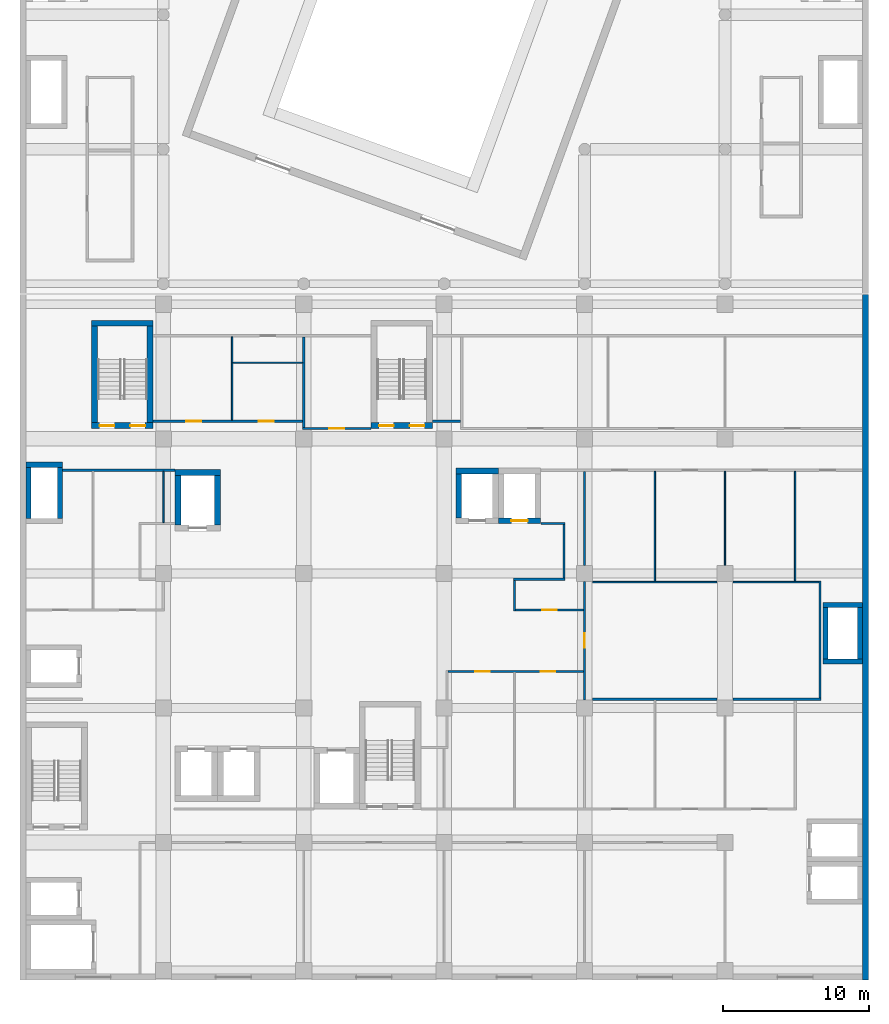
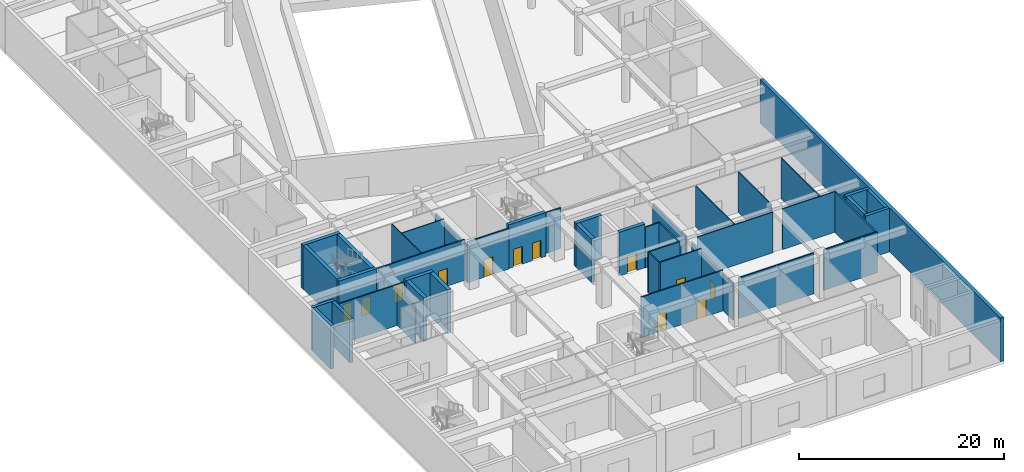
# One storey, part 10 of 31: 43 walls, 12 doors, 12 openings.
"""IFC4 building model written with IfcOpenShell, lengths in metres."""

from ifc_helpers import new_model, si_unit, direction, frame, frame_2d, origin, place, context, subcontext, project, spatial, rectangle, extrude, material, layer, layer_set, type_object, element, fill, save


model = new_model("IFC4")

# Units and contexts
model_context = context("Model", 3, precision=1e-05, world=origin(), true_north=direction((0.0, 1.0)))
body_context = subcontext(model_context, "Body", "Model", "MODEL_VIEW")
ifc_project = project(units=[si_unit("LENGTHUNIT", "METRE"), si_unit("AREAUNIT", "SQUARE_METRE"), si_unit("VOLUMEUNIT", "CUBIC_METRE"), si_unit("PLANEANGLEUNIT", "RADIAN"), si_unit("MASSUNIT", "GRAM", prefix="KILO")], contexts=[model_context])

# Site, building, storey
site_placement = place(None, origin())
site = spatial("IfcSite", under=ifc_project, at=site_placement, CompositionType="ELEMENT")
building_placement = place(site_placement, origin())
building = spatial("IfcBuilding", under=site, at=building_placement, Name="Nzadi Deep Aquarium and Research Tower", CompositionType="ELEMENT")
storey_placement = place(building_placement, frame((0.0, 0.0, 26.699951171875)))
storey = spatial("IfcBuildingStorey", under=building, at=storey_placement, Name="L04", CompositionType="ELEMENT", Elevation=26.699951171875)

# Walls
ifc_material_1 = material(Name="Blockwork masonry", Category="masonry")
ifc_layer_1 = layer(ifc_material_1, 0.10009765625)
ifc_layer_set_1 = layer_set([ifc_layer_1], Name="Blockwork masonry")
wall_type_1 = type_object("IfcWallType", Name="Partition 100 EI 30", PredefinedType="PARTITIONING", material=ifc_layer_set_1)
wall_1_placement = place(storey_placement, frame((14.300048828125, 38.074951171875, 0.0), z_axis=(0.0, 0.0, 1.0), x_axis=(0.0, 1.0, 0.0)))
element("IfcWall", 1, at=wall_1_placement, inside=storey, type_object=wall_type_1, Name="W-Z1-L04-P016", PredefinedType="PARTITIONING", context=body_context, shape_type="SweptSolid", body=[
    extrude(rectangle(XDim=5.699951171875, YDim=0.10009765625, at=frame_2d((2.85009765625, 0.0))), origin(), (0.0, 0.0, 1.0), 4.85009765625),
])
wall_2_placement = place(storey_placement, frame((14.35009765625, 42.0, 0.0), z_axis=(0.0, 0.0, 1.0), x_axis=(1.0, 0.0, 0.0)))
element("IfcWall", 2, at=wall_2_placement, inside=storey, type_object=wall_type_1, Name="W-Z1-L04-P017", PredefinedType="PARTITIONING", context=body_context, shape_type="SweptSolid", body=[
    extrude(rectangle(XDim=4.77490234375, YDim=0.10009765625, at=frame_2d((2.387451171875, 0.0))), origin(), (0.0, 0.0, 1.0), 4.85009765625),
])
wall_3_placement = place(storey_placement, frame((38.949951171875, 27.0, 0.0), z_axis=(0.0, 0.0, 1.0), x_axis=(1.0, 0.0, 0.0)))
element("IfcWall", 3, at=wall_3_placement, inside=storey, type_object=wall_type_1, Name="W-Z1-L04-P048", PredefinedType="PARTITIONING", context=body_context, shape_type="SweptSolid", body=[
    extrude(rectangle(XDim=8.5, YDim=0.10009765625, at=frame_2d((4.25, 0.0))), origin(), (0.0, 0.0, 1.0), 4.85009765625),
])
wall_4_placement = place(storey_placement, frame((43.199951171875, 27.050048828125, 0.0), z_axis=(0.0, 0.0, 1.0), x_axis=(0.0, 1.0, 0.0)))
element("IfcWall", 4, at=wall_4_placement, inside=storey, type_object=wall_type_1, Name="W-Z1-L04-P051", PredefinedType="PARTITIONING", context=body_context, shape_type="SweptSolid", body=[
    extrude(rectangle(XDim=7.52490234375, YDim=0.10009765625, at=frame_2d((3.762451171875, 0.0))), origin(), (0.0, 0.0, 1.0), 4.85009765625),
])
wall_5_placement = place(storey_placement, frame((48.0, 28.14990234375, 0.0), z_axis=(0.0, 0.0, 1.0), x_axis=(0.0, 1.0, 0.0)))
element("IfcWall", 5, at=wall_5_placement, inside=storey, type_object=wall_type_1, Name="W-Z1-L04-P054", PredefinedType="PARTITIONING", context=body_context, shape_type="SweptSolid", body=[
    extrude(rectangle(XDim=6.425048828125, YDim=0.10009765625, at=frame_2d((3.21240234375, 0.0))), origin(), (0.0, 0.0, 1.0), 4.85009765625),
])
wall_6_placement = place(storey_placement, frame((48.550048828125, 27.0, 0.0), z_axis=(0.0, 0.0, 1.0), x_axis=(1.0, 0.0, 0.0)))
element("IfcWall", 6, at=wall_6_placement, inside=storey, type_object=wall_type_1, Name="W-Z1-L04-P057", PredefinedType="PARTITIONING", context=body_context, shape_type="SweptSolid", body=[
    extrude(rectangle(XDim=5.875, YDim=0.10009765625, at=frame_2d((2.9375, 0.0))), origin(), (0.0, 0.0, 1.0), 4.85009765625),
])
wall_7_placement = place(storey_placement, frame((52.800048828125, 27.050048828125, 0.0), z_axis=(0.0, 0.0, 1.0), x_axis=(0.0, 1.0, 0.0)))
element("IfcWall", 7, at=wall_7_placement, inside=storey, type_object=wall_type_1, Name="W-Z1-L04-P059", PredefinedType="PARTITIONING", context=body_context, shape_type="SweptSolid", body=[
    extrude(rectangle(XDim=7.52490234375, YDim=0.10009765625, at=frame_2d((3.762451171875, 0.0))), origin(), (0.0, 0.0, 1.0), 4.85009765625),
])
ifc_material_2 = material(Name="Blockwork masonry", Category="masonry")
ifc_layer_2 = layer(ifc_material_2, 0.10009765625)
ifc_layer_set_2 = layer_set([ifc_layer_2], Name="Blockwork masonry")
wall_type_2 = type_object("IfcWallType", Name="Partition 100 EI 30, 4.45 m high", PredefinedType="PARTITIONING", material=ifc_layer_set_2)
wall_8_placement = place(storey_placement, frame((9.60009765625, 31.074951171875, 0.0), z_axis=(0.0, 0.0, 1.0), x_axis=(0.0, 1.0, 0.0)))
element("IfcWall", 8, at=wall_8_placement, inside=storey, type_object=wall_type_2, Name="W-Z1-L04-P013", PredefinedType="PARTITIONING", context=body_context, shape_type="SweptSolid", body=[
    extrude(rectangle(XDim=3.5, YDim=0.10009765625, at=frame_2d((1.75, 0.0))), origin(), (0.0, 0.0, 1.0), 4.449951171875),
])
ifc_material_3 = material(Name="Blockwork masonry", Category="masonry")
ifc_layer_3 = layer(ifc_material_3, 0.14990234375)
ifc_layer_set_3 = layer_set([ifc_layer_3], Name="Blockwork masonry")
wall_type_3 = type_object("IfcWallType", Name="Partition 150 EI 60", PredefinedType="PARTITIONING", material=ifc_layer_set_3)
wall_9_placement = place(storey_placement, frame((2.7060546875, 34.64990234375, 0.0), z_axis=(0.0, 0.0, 1.0), x_axis=(1.0, 0.0, 0.0)))
element("IfcWall", 9, at=wall_9_placement, inside=storey, type_object=wall_type_3, Name="W-Z1-L04-P003", PredefinedType="PARTITIONING", context=body_context, shape_type="SweptSolid", body=[
    extrude(rectangle(XDim=7.68798828125, YDim=0.14990234375, at=frame_2d((3.843994140625, 0.0))), origin(), (0.0, 0.0, 1.0), 4.85009765625),
])

# Wall, openings, doors
wall_10_placement = place(storey_placement, frame((8.906005859375, 38.0, 0.0), z_axis=(0.0, 0.0, 1.0), x_axis=(1.0, 0.0, 0.0)))
wall_10 = element("IfcWall", 10, at=wall_10_placement, inside=storey, type_object=wall_type_3, Name="W-Z1-L04-P010", PredefinedType="PARTITIONING", context=body_context, shape_type="SweptSolid", body=[
    extrude(rectangle(XDim=10.218994140625, YDim=0.14990234375, at=frame_2d((5.109375, 0.0))), origin(), (0.0, 0.0, 1.0), 4.85009765625),
])
opening_1_placement = place(wall_10_placement, frame((2.26904296875, 0.0, 0.0)))
opening_1 = element("IfcOpeningElement", 11, at=opening_1_placement, cuts=wall_10, Name="Opening D051022", PredefinedType="OPENING", context=body_context, shape_type="SweptSolid", body=[
    extrude(rectangle(XDim=1.0, YDim=2.10009765625, at=frame_2d((0.5, 1.050048828125))), frame((0.0, 0.0849609375, 0.0), z_axis=(0.0, -1.0, 0.0), x_axis=(1.0, 0.0, 0.0)), (0.0, 0.0, 1.0), 0.169921875),
])
opening_2_placement = place(wall_10_placement, frame((7.23388671875, 0.0, 0.0)))
opening_2 = element("IfcOpeningElement", 12, at=opening_2_placement, cuts=wall_10, Name="Opening D051023", PredefinedType="OPENING", context=body_context, shape_type="SweptSolid", body=[
    extrude(rectangle(XDim=1.0, YDim=2.10009765625, at=frame_2d((0.5, 1.050048828125))), frame((0.0, 0.0849609375, 0.0), z_axis=(0.0, -1.0, 0.0), x_axis=(1.0, 0.0, 0.0)), (0.0, 0.0, 1.0), 0.169921875),
])
ifc_material_4 = material(Name="Fire-rated steel door", Category="steel")
ifc_layer_4 = layer(ifc_material_4, 0.050048828125)
ifc_layer_set_4 = layer_set([ifc_layer_4], Name="Fire-rated steel door")
door_type_1 = type_object("IfcDoorType", Name="Door 1000x2100 EI 60 single", OperationType="SINGLE_SWING_LEFT", PredefinedType="DOOR", material=ifc_layer_set_4)
door_1_placement = place(opening_1_placement, origin())
door_1 = element("IfcDoor", 13, at=door_1_placement, inside=storey, type_object=door_type_1, Name="D051022", OperationType="SINGLE_SWING_LEFT", OverallHeight=2.10009765625, OverallWidth=1.0, PredefinedType="DOOR", context=body_context, shape_type="SweptSolid", body=[
    extrude(rectangle(XDim=1.0, YDim=2.10009765625, at=frame_2d((0.5, 1.050048828125))), frame((0.0, 0.02490234375, 0.0), z_axis=(0.0, -1.0, 0.0), x_axis=(1.0, 0.0, 0.0)), (0.0, 0.0, 1.0), 0.050048828125),
])
fill(opening_1, door_1)
door_2_placement = place(opening_2_placement, origin())
door_2 = element("IfcDoor", 14, at=door_2_placement, inside=storey, type_object=door_type_1, Name="D051023", OperationType="SINGLE_SWING_RIGHT", OverallHeight=2.10009765625, OverallWidth=1.0, PredefinedType="DOOR", context=body_context, shape_type="SweptSolid", body=[
    extrude(rectangle(XDim=1.0, YDim=2.10009765625, at=frame_2d((0.5, 1.050048828125))), frame((0.0, 0.02490234375, 0.0), z_axis=(0.0, -1.0, 0.0), x_axis=(1.0, 0.0, 0.0)), (0.0, 0.0, 1.0), 0.050048828125),
])
fill(opening_2, door_2)

# Wall, opening, door
wall_11_placement = place(storey_placement, frame((19.125, 37.5, 0.0), z_axis=(0.0, 0.0, 1.0), x_axis=(1.0, 0.0, 0.0)))
wall_11 = element("IfcWall", 15, at=wall_11_placement, inside=storey, type_object=wall_type_3, Name="W-Z1-L04-P019", PredefinedType="PARTITIONING", context=body_context, shape_type="SweptSolid", body=[
    extrude(rectangle(XDim=4.6689453125, YDim=0.14990234375, at=frame_2d((2.33447265625, 0.0))), origin(), (0.0, 0.0, 1.0), 4.85009765625),
])
opening_3_placement = place(wall_11_placement, frame((1.833984375, 0.0, 0.0)))
opening_3 = element("IfcOpeningElement", 16, at=opening_3_placement, cuts=wall_11, Name="Opening D051021", PredefinedType="OPENING", context=body_context, shape_type="SweptSolid", body=[
    extrude(rectangle(XDim=1.0, YDim=2.10009765625, at=frame_2d((0.5, 1.050048828125))), frame((0.0, 0.0849609375, 0.0), z_axis=(0.0, -1.0, 0.0), x_axis=(1.0, 0.0, 0.0)), (0.0, 0.0, 1.0), 0.169921875),
])
door_3_placement = place(opening_3_placement, origin())
door_3 = element("IfcDoor", 17, at=door_3_placement, inside=storey, type_object=door_type_1, Name="D051021", OperationType="SINGLE_SWING_LEFT", OverallHeight=2.10009765625, OverallWidth=1.0, PredefinedType="DOOR", context=body_context, shape_type="SweptSolid", body=[
    extrude(rectangle(XDim=1.0, YDim=2.10009765625, at=frame_2d((0.5, 1.050048828125))), frame((0.0, 0.02490234375, 0.0), z_axis=(0.0, -1.0, 0.0), x_axis=(1.0, 0.0, 0.0)), (0.0, 0.0, 1.0), 0.050048828125),
])
fill(opening_3, door_3)

# Wall
wall_12_placement = place(storey_placement, frame((28.006103515625, 38.0, 0.0), z_axis=(0.0, 0.0, 1.0), x_axis=(1.0, 0.0, 0.0)))
element("IfcWall", 18, at=wall_12_placement, inside=storey, type_object=wall_type_3, Name="W-Z1-L04-P025", PredefinedType="PARTITIONING", context=body_context, shape_type="SweptSolid", body=[
    extrude(rectangle(XDim=1.9189453125, YDim=0.14990234375, at=frame_2d((0.95947265625, 0.0))), origin(), (0.0, 0.0, 1.0), 4.85009765625),
])

# Wall, openings, doors
wall_13_placement = place(storey_placement, frame((29.074951171875, 20.89990234375, 0.0), z_axis=(0.0, 0.0, 1.0), x_axis=(1.0, 0.0, 0.0)))
wall_13 = element("IfcWall", 19, at=wall_13_placement, inside=storey, type_object=wall_type_3, Name="W-Z1-L04-P031", PredefinedType="PARTITIONING", context=body_context, shape_type="SweptSolid", body=[
    extrude(rectangle(XDim=9.25, YDim=0.14990234375, at=frame_2d((4.625, 0.0))), origin(), (0.0, 0.0, 1.0), 4.85009765625),
])
opening_4_placement = place(wall_13_placement, frame((1.8349609375, 0.0, 0.0)))
opening_4 = element("IfcOpeningElement", 20, at=opening_4_placement, cuts=wall_13, Name="Opening D051001", PredefinedType="OPENING", context=body_context, shape_type="SweptSolid", body=[
    extrude(rectangle(XDim=1.0, YDim=2.10009765625, at=frame_2d((0.5, 1.050048828125))), frame((0.0, 0.0849609375, 0.0), z_axis=(0.0, -1.0, 0.0), x_axis=(1.0, 0.0, 0.0)), (0.0, 0.0, 1.0), 0.169921875),
])
opening_5_placement = place(wall_13_placement, frame((6.31494140625, 0.0, 0.0)))
opening_5 = element("IfcOpeningElement", 21, at=opening_5_placement, cuts=wall_13, Name="Opening D051002", PredefinedType="OPENING", context=body_context, shape_type="SweptSolid", body=[
    extrude(rectangle(XDim=1.0, YDim=2.10009765625, at=frame_2d((0.5, 1.050048828125))), frame((0.0, 0.0849609375, 0.0), z_axis=(0.0, -1.0, 0.0), x_axis=(1.0, 0.0, 0.0)), (0.0, 0.0, 1.0), 0.169921875),
])
door_4_placement = place(opening_4_placement, origin())
door_4 = element("IfcDoor", 22, at=door_4_placement, inside=storey, type_object=door_type_1, Name="D051001", OperationType="SINGLE_SWING_RIGHT", OverallHeight=2.10009765625, OverallWidth=1.0, PredefinedType="DOOR", context=body_context, shape_type="SweptSolid", body=[
    extrude(rectangle(XDim=1.0, YDim=2.10009765625, at=frame_2d((0.5, 1.050048828125))), frame((0.0, 0.02490234375, 0.0), z_axis=(0.0, -1.0, 0.0), x_axis=(1.0, 0.0, 0.0)), (0.0, 0.0, 1.0), 0.050048828125),
])
fill(opening_4, door_4)
door_5_placement = place(opening_5_placement, origin())
door_5 = element("IfcDoor", 23, at=door_5_placement, inside=storey, type_object=door_type_1, Name="D051002", OperationType="SINGLE_SWING_LEFT", OverallHeight=2.10009765625, OverallWidth=1.0, PredefinedType="DOOR", context=body_context, shape_type="SweptSolid", body=[
    extrude(rectangle(XDim=1.0, YDim=2.10009765625, at=frame_2d((0.5, 1.050048828125))), frame((0.0, 0.02490234375, 0.0), z_axis=(0.0, -1.0, 0.0), x_axis=(1.0, 0.0, 0.0)), (0.0, 0.0, 1.0), 0.050048828125),
])
fill(opening_5, door_5)

# Walls
wall_14_placement = place(storey_placement, frame((33.60009765625, 25.02490234375, 0.0), z_axis=(0.0, 0.0, 1.0), x_axis=(0.0, 1.0, 0.0)))
element("IfcWall", 24, at=wall_14_placement, inside=storey, type_object=wall_type_3, Name="W-Z1-L04-P035", PredefinedType="PARTITIONING", context=body_context, shape_type="SweptSolid", body=[
    extrude(rectangle(XDim=2.10009765625, YDim=0.14990234375, at=frame_2d((1.050048828125, 0.0))), origin(), (0.0, 0.0, 1.0), 4.85009765625),
])
wall_15_placement = place(storey_placement, frame((33.52490234375, 27.199951171875, 0.0), z_axis=(0.0, 0.0, 1.0), x_axis=(1.0, 0.0, 0.0)))
element("IfcWall", 25, at=wall_15_placement, inside=storey, type_object=wall_type_3, Name="W-Z1-L04-P036", PredefinedType="PARTITIONING", context=body_context, shape_type="SweptSolid", body=[
    extrude(rectangle(XDim=3.550048828125, YDim=0.14990234375, at=frame_2d((1.77490234375, 0.0))), origin(), (0.0, 0.0, 1.0), 4.85009765625),
])

# Wall, opening, door
wall_16_placement = place(storey_placement, frame((33.675048828125, 25.10009765625, 0.0), z_axis=(0.0, 0.0, 1.0), x_axis=(1.0, 0.0, 0.0)))
wall_16 = element("IfcWall", 26, at=wall_16_placement, inside=storey, type_object=wall_type_3, Name="W-Z1-L04-P038", PredefinedType="PARTITIONING", context=body_context, shape_type="SweptSolid", body=[
    extrude(rectangle(XDim=4.64990234375, YDim=0.14990234375, at=frame_2d((2.324951171875, 0.0))), origin(), (0.0, 0.0, 1.0), 4.85009765625),
])
opening_6_placement = place(wall_16_placement, frame((1.824951171875, 0.0, 0.0)))
opening_6 = element("IfcOpeningElement", 27, at=opening_6_placement, cuts=wall_16, Name="Opening D051008", PredefinedType="OPENING", context=body_context, shape_type="SweptSolid", body=[
    extrude(rectangle(XDim=1.0, YDim=2.10009765625, at=frame_2d((0.5, 1.050048828125))), frame((0.0, 0.0849609375, 0.0), z_axis=(0.0, -1.0, 0.0), x_axis=(1.0, 0.0, 0.0)), (0.0, 0.0, 1.0), 0.169921875),
])
door_6_placement = place(opening_6_placement, origin())
door_6 = element("IfcDoor", 28, at=door_6_placement, inside=storey, type_object=door_type_1, Name="D051008", OperationType="SINGLE_SWING_LEFT", OverallHeight=2.10009765625, OverallWidth=1.0, PredefinedType="DOOR", context=body_context, shape_type="SweptSolid", body=[
    extrude(rectangle(XDim=1.0, YDim=2.10009765625, at=frame_2d((0.5, 1.050048828125))), frame((0.0, 0.02490234375, 0.0), z_axis=(0.0, -1.0, 0.0), x_axis=(1.0, 0.0, 0.0)), (0.0, 0.0, 1.0), 0.050048828125),
])
fill(opening_6, door_6)

# Walls
wall_17_placement = place(storey_placement, frame((35.406005859375, 31.0, 0.0), z_axis=(0.0, 0.0, 1.0), x_axis=(1.0, 0.0, 0.0)))
element("IfcWall", 29, at=wall_17_placement, inside=storey, type_object=wall_type_3, Name="W-Z1-L04-P039", PredefinedType="PARTITIONING", context=body_context, shape_type="SweptSolid", body=[
    extrude(rectangle(XDim=1.6689453125, YDim=0.14990234375, at=frame_2d((0.83447265625, 0.0))), origin(), (0.0, 0.0, 1.0), 4.85009765625),
])
wall_18_placement = place(storey_placement, frame((37.0, 27.27490234375, 0.0), z_axis=(0.0, 0.0, 1.0), x_axis=(0.0, 1.0, 0.0)))
element("IfcWall", 30, at=wall_18_placement, inside=storey, type_object=wall_type_3, Name="W-Z1-L04-P041", PredefinedType="PARTITIONING", context=body_context, shape_type="SweptSolid", body=[
    extrude(rectangle(XDim=3.650146484375, YDim=0.14990234375, at=frame_2d((1.8251953125, 0.0))), origin(), (0.0, 0.0, 1.0), 4.85009765625),
])
wall_19_placement = place(storey_placement, frame((38.949951171875, 19.0, 0.0), z_axis=(0.0, 0.0, 1.0), x_axis=(1.0, 0.0, 0.0)))
element("IfcWall", 31, at=wall_19_placement, inside=storey, type_object=wall_type_3, Name="W-Z1-L04-P047", PredefinedType="PARTITIONING", context=body_context, shape_type="SweptSolid", body=[
    extrude(rectangle(XDim=8.5, YDim=0.14990234375, at=frame_2d((4.25, 0.0))), origin(), (0.0, 0.0, 1.0), 4.85009765625),
])
wall_20_placement = place(storey_placement, frame((48.550048828125, 19.0, 0.0), z_axis=(0.0, 0.0, 1.0), x_axis=(1.0, 0.0, 0.0)))
element("IfcWall", 32, at=wall_20_placement, inside=storey, type_object=wall_type_3, Name="W-Z1-L04-P056", PredefinedType="PARTITIONING", context=body_context, shape_type="SweptSolid", body=[
    extrude(rectangle(XDim=6.02490234375, YDim=0.14990234375, at=frame_2d((3.012451171875, 0.0))), origin(), (0.0, 0.0, 1.0), 4.85009765625),
])
wall_21_placement = place(storey_placement, frame((54.5, 19.074951171875, 0.0), z_axis=(0.0, 0.0, 1.0), x_axis=(0.0, 1.0, 0.0)))
element("IfcWall", 33, at=wall_21_placement, inside=storey, type_object=wall_type_3, Name="W-Z1-L04-P060", PredefinedType="PARTITIONING", context=body_context, shape_type="SweptSolid", body=[
    extrude(rectangle(XDim=8.0, YDim=0.14990234375, at=frame_2d((4.0, 0.0))), origin(), (0.0, 0.0, 1.0), 4.85009765625),
])
ifc_material_5 = material(Name="Blockwork masonry", Category="masonry")
ifc_layer_5 = layer(ifc_material_5, 0.14990234375)
ifc_layer_set_5 = layer_set([ifc_layer_5], Name="Blockwork masonry")
wall_type_4 = type_object("IfcWallType", Name="Partition 150 EI 60, 4.45 m high", PredefinedType="PARTITIONING", material=ifc_layer_set_5)
wall_22_placement = place(storey_placement, frame((19.199951171875, 37.574951171875, 0.0), z_axis=(0.0, 0.0, 1.0), x_axis=(0.0, 1.0, 0.0)))
element("IfcWall", 34, at=wall_22_placement, inside=storey, type_object=wall_type_4, Name="W-Z1-L04-P020", PredefinedType="PARTITIONING", context=body_context, shape_type="SweptSolid", body=[
    extrude(rectangle(XDim=6.199951171875, YDim=0.14990234375, at=frame_2d((3.10009765625, 0.0))), origin(), (0.0, 0.0, 1.0), 4.449951171875),
])

# Wall, opening, door
wall_23_placement = place(storey_placement, frame((38.39990234375, 18.949951171875, 0.0), z_axis=(0.0, 0.0, 1.0), x_axis=(0.0, 1.0, 0.0)))
wall_23 = element("IfcWall", 35, at=wall_23_placement, inside=storey, type_object=wall_type_4, Name="W-Z1-L04-P043", PredefinedType="PARTITIONING", context=body_context, shape_type="SweptSolid", body=[
    extrude(rectangle(XDim=8.10009765625, YDim=0.14990234375, at=frame_2d((4.050048828125, 0.0))), origin(), (0.0, 0.0, 1.0), 4.449951171875),
])
opening_7_placement = place(wall_23_placement, frame((3.550048828125, 0.0, 0.0)))
opening_7 = element("IfcOpeningElement", 36, at=opening_7_placement, cuts=wall_23, Name="Opening D051020", PredefinedType="OPENING", context=body_context, shape_type="SweptSolid", body=[
    extrude(rectangle(XDim=1.0, YDim=2.10009765625, at=frame_2d((0.5, 1.050048828125))), frame((0.0, 0.0849609375, 0.0), z_axis=(0.0, -1.0, 0.0), x_axis=(1.0, 0.0, 0.0)), (0.0, 0.0, 1.0), 0.169921875),
])
door_7_placement = place(opening_7_placement, origin())
door_7 = element("IfcDoor", 37, at=door_7_placement, inside=storey, type_object=door_type_1, Name="D051020", OperationType="SINGLE_SWING_RIGHT", OverallHeight=2.10009765625, OverallWidth=1.0, PredefinedType="DOOR", context=body_context, shape_type="SweptSolid", body=[
    extrude(rectangle(XDim=1.0, YDim=2.10009765625, at=frame_2d((0.5, 1.050048828125))), frame((0.0, 0.02490234375, 0.0), z_axis=(0.0, -1.0, 0.0), x_axis=(1.0, 0.0, 0.0)), (0.0, 0.0, 1.0), 0.050048828125),
])
fill(opening_7, door_7)

# Walls
wall_24_placement = place(storey_placement, frame((38.39990234375, 28.14990234375, 0.0), z_axis=(0.0, 0.0, 1.0), x_axis=(0.0, 1.0, 0.0)))
element("IfcWall", 38, at=wall_24_placement, inside=storey, type_object=wall_type_4, Name="W-Z1-L04-P044", PredefinedType="PARTITIONING", context=body_context, shape_type="SweptSolid", body=[
    extrude(rectangle(XDim=6.425048828125, YDim=0.14990234375, at=frame_2d((3.21240234375, 0.0))), origin(), (0.0, 0.0, 1.0), 4.449951171875),
])
ifc_material_6 = material(Name="Concrete C35/45", Category="concrete")
ifc_layer_6 = layer(ifc_material_6, 0.35009765625)
ifc_layer_set_6 = layer_set([ifc_layer_6], Name="Concrete C35/45")
wall_type_5 = type_object("IfcWallType", Name="RC core wall 350", PredefinedType="SHEAR", material=ifc_layer_set_6)
wall_25_placement = place(storey_placement, frame((0.199951171875, 35.02490234375, 0.0), z_axis=(0.0, 0.0, 1.0), x_axis=(1.0, 0.0, 0.0)))
element("IfcWall", 39, at=wall_25_placement, inside=storey, type_object=wall_type_5, Name="W-CORE-RS-Z1-W-L04-N", PredefinedType="SHEAR", context=body_context, shape_type="SweptSolid", body=[
    extrude(rectangle(XDim=2.5, YDim=0.35009765625, at=frame_2d((1.25, 0.0))), origin(), (0.0, 0.0, 1.0), 5.199951171875),
])
for number, where, z_axis, x_axis, name in (
    (40, (0.375, 31.35009765625, 0.0), (0.0, 0.0, 1.0), (0.0, 1.0, 0.0), "W-CORE-RS-Z1-W-L04-W"),
    (41, (2.52490234375, 31.35009765625, 0.0), (0.0, 0.0, 1.0), (0.0, 1.0, 0.0), "W-CORE-RS-Z1-W-L04-E"),
):
    element("IfcWall", number, at=place(storey_placement, frame(where, z_axis=z_axis, x_axis=x_axis)), inside=storey, type_object=wall_type_5, Name=name, PredefinedType="SHEAR", context=body_context, shape_type="SweptSolid", body=[
        extrude(rectangle(XDim=3.5, YDim=0.35009765625, at=frame_2d((1.75, 0.0))), origin(), (0.0, 0.0, 1.0), 5.199951171875),
    ])
for number, where, z_axis, x_axis, name in (
    (42, (54.699951171875, 21.574951171875, 0.0), (0.0, 0.0, 1.0), (1.0, 0.0, 0.0), "W-CORE-RS-Z1-E-L04-S"),
    (43, (54.699951171875, 25.425048828125, 0.0), (0.0, 0.0, 1.0), (1.0, 0.0, 0.0), "W-CORE-RS-Z1-E-L04-N"),
):
    element("IfcWall", number, at=place(storey_placement, frame(where, z_axis=z_axis, x_axis=x_axis)), inside=storey, type_object=wall_type_5, Name=name, PredefinedType="SHEAR", context=body_context, shape_type="SweptSolid", body=[
        extrude(rectangle(XDim=2.699951171875, YDim=0.35009765625, at=frame_2d((1.35009765625, 0.0))), origin(), (0.0, 0.0, 1.0), 5.199951171875),
    ])
for number, where, z_axis, x_axis, name in (
    (44, (54.875, 21.75, 0.0), (0.0, 0.0, 1.0), (0.0, 1.0, 0.0), "W-CORE-RS-Z1-E-L04-W"),
    (45, (57.22509765625, 21.75, 0.0), (0.0, 0.0, 1.0), (0.0, 1.0, 0.0), "W-CORE-RS-Z1-E-L04-E"),
):
    element("IfcWall", number, at=place(storey_placement, frame(where, z_axis=z_axis, x_axis=x_axis)), inside=storey, type_object=wall_type_5, Name=name, PredefinedType="SHEAR", context=body_context, shape_type="SweptSolid", body=[
        extrude(rectangle(XDim=3.5, YDim=0.35009765625, at=frame_2d((1.75, 0.0))), origin(), (0.0, 0.0, 1.0), 5.199951171875),
    ])

# Wall, openings, doors
ifc_material_7 = material(Name="Concrete C35/45", Category="concrete")
ifc_layer_7 = layer(ifc_material_7, 0.39990234375)
ifc_layer_set_7 = layer_set([ifc_layer_7], Name="Concrete C35/45")
wall_type_6 = type_object("IfcWallType", Name="RC core wall 400", PredefinedType="SHEAR", material=ifc_layer_set_7)
wall_26_placement = place(storey_placement, frame((4.699951171875, 37.699951171875, 0.0), z_axis=(0.0, 0.0, 1.0), x_axis=(1.0, 0.0, 0.0)))
wall_26 = element("IfcWall", 46, at=wall_26_placement, inside=storey, type_object=wall_type_6, Name="W-CORE-ST-Z1-NW-L04-S", PredefinedType="SHEAR", context=body_context, shape_type="SweptSolid", body=[
    extrude(rectangle(XDim=4.199951171875, YDim=0.39990234375, at=frame_2d((2.10009765625, 0.0))), origin(), (0.0, 0.0, 1.0), 5.199951171875),
])
opening_8_placement = place(wall_26_placement, frame((0.550048828125, 0.0, 0.0)))
opening_8 = element("IfcOpeningElement", 47, at=opening_8_placement, cuts=wall_26, Name="Opening DS-Z1-NW-L04A", PredefinedType="OPENING", context=body_context, shape_type="SweptSolid", body=[
    extrude(rectangle(XDim=1.0, YDim=2.10009765625, at=frame_2d((0.5, 1.050048828125))), frame((0.0, 0.2099609375, 0.0), z_axis=(0.0, -1.0, 0.0), x_axis=(1.0, 0.0, 0.0)), (0.0, 0.0, 1.0), 0.419921875),
])
opening_9_placement = place(wall_26_placement, frame((2.64990234375, 0.0, 0.0)))
opening_9 = element("IfcOpeningElement", 48, at=opening_9_placement, cuts=wall_26, Name="Opening DS-Z1-NW-L04B", PredefinedType="OPENING", context=body_context, shape_type="SweptSolid", body=[
    extrude(rectangle(XDim=1.0, YDim=2.10009765625, at=frame_2d((0.5, 1.050048828125))), frame((0.0, 0.2099609375, 0.0), z_axis=(0.0, -1.0, 0.0), x_axis=(1.0, 0.0, 0.0)), (0.0, 0.0, 1.0), 0.419921875),
])
ifc_material_8 = material(Name="Steel, powder coated", Category="steel")
door_type_2 = type_object("IfcDoorType", Name="STAIR DOOR 1000x2100 EI 60", OperationType="SINGLE_SWING_LEFT", PredefinedType="DOOR", material=ifc_material_8)
door_8_placement = place(opening_8_placement, origin())
door_8 = element("IfcDoor", 49, at=door_8_placement, inside=storey, type_object=door_type_2, Name="Stair door ST-Z1-NW L04 A", OperationType="SINGLE_SWING_RIGHT", OverallHeight=2.10009765625, OverallWidth=1.0, PredefinedType="DOOR", context=body_context, shape_type="SweptSolid", body=[
    extrude(rectangle(XDim=1.0, YDim=2.10009765625, at=frame_2d((0.5, 1.050048828125))), frame((0.0, 0.02490234375, 0.0), z_axis=(0.0, -1.0, 0.0), x_axis=(1.0, 0.0, 0.0)), (0.0, 0.0, 1.0), 0.050048828125),
])
fill(opening_8, door_8)
door_9_placement = place(opening_9_placement, origin())
door_9 = element("IfcDoor", 50, at=door_9_placement, inside=storey, type_object=door_type_2, Name="Stair door ST-Z1-NW L04 B", OperationType="SINGLE_SWING_LEFT", OverallHeight=2.10009765625, OverallWidth=1.0, PredefinedType="DOOR", context=body_context, shape_type="SweptSolid", body=[
    extrude(rectangle(XDim=1.0, YDim=2.10009765625, at=frame_2d((0.5, 1.050048828125))), frame((0.0, 0.02490234375, 0.0), z_axis=(0.0, -1.0, 0.0), x_axis=(1.0, 0.0, 0.0)), (0.0, 0.0, 1.0), 0.050048828125),
])
fill(opening_9, door_9)

# Walls
wall_27_placement = place(storey_placement, frame((4.699951171875, 44.699951171875, 0.0), z_axis=(0.0, 0.0, 1.0), x_axis=(1.0, 0.0, 0.0)))
element("IfcWall", 51, at=wall_27_placement, inside=storey, type_object=wall_type_6, Name="W-CORE-ST-Z1-NW-L04-N", PredefinedType="SHEAR", context=body_context, shape_type="SweptSolid", body=[
    extrude(rectangle(XDim=4.199951171875, YDim=0.39990234375, at=frame_2d((2.10009765625, 0.0))), origin(), (0.0, 0.0, 1.0), 5.199951171875),
])
for number, where, z_axis, x_axis, name in (
    (52, (4.89990234375, 37.89990234375, 0.0), (0.0, 0.0, 1.0), (0.0, 1.0, 0.0), "W-CORE-ST-Z1-NW-L04-W"),
    (53, (8.699951171875, 37.89990234375, 0.0), (0.0, 0.0, 1.0), (0.0, 1.0, 0.0), "W-CORE-ST-Z1-NW-L04-E"),
):
    element("IfcWall", number, at=place(storey_placement, frame(where, z_axis=z_axis, x_axis=x_axis)), inside=storey, type_object=wall_type_6, Name=name, PredefinedType="SHEAR", context=body_context, shape_type="SweptSolid", body=[
        extrude(rectangle(XDim=6.60009765625, YDim=0.39990234375, at=frame_2d((3.300048828125, 0.0))), origin(), (0.0, 0.0, 1.0), 5.199951171875),
    ])

# Wall, openings, doors
wall_28_placement = place(storey_placement, frame((23.800048828125, 37.699951171875, 0.0), z_axis=(0.0, 0.0, 1.0), x_axis=(1.0, 0.0, 0.0)))
wall_28 = element("IfcWall", 54, at=wall_28_placement, inside=storey, type_object=wall_type_6, Name="W-CORE-ST-Z1-NE-L04-S", PredefinedType="SHEAR", context=body_context, shape_type="SweptSolid", body=[
    extrude(rectangle(XDim=4.199951171875, YDim=0.39990234375, at=frame_2d((2.10009765625, 0.0))), origin(), (0.0, 0.0, 1.0), 5.199951171875),
])
opening_10_placement = place(wall_28_placement, frame((0.550048828125, 0.0, 0.0)))
opening_10 = element("IfcOpeningElement", 55, at=opening_10_placement, cuts=wall_28, Name="Opening DS-Z1-NE-L04A", PredefinedType="OPENING", context=body_context, shape_type="SweptSolid", body=[
    extrude(rectangle(XDim=1.0, YDim=2.10009765625, at=frame_2d((0.5, 1.050048828125))), frame((0.0, 0.2099609375, 0.0), z_axis=(0.0, -1.0, 0.0), x_axis=(1.0, 0.0, 0.0)), (0.0, 0.0, 1.0), 0.419921875),
])
opening_11_placement = place(wall_28_placement, frame((2.64990234375, 0.0, 0.0)))
opening_11 = element("IfcOpeningElement", 56, at=opening_11_placement, cuts=wall_28, Name="Opening DS-Z1-NE-L04B", PredefinedType="OPENING", context=body_context, shape_type="SweptSolid", body=[
    extrude(rectangle(XDim=1.0, YDim=2.10009765625, at=frame_2d((0.5, 1.050048828125))), frame((0.0, 0.2099609375, 0.0), z_axis=(0.0, -1.0, 0.0), x_axis=(1.0, 0.0, 0.0)), (0.0, 0.0, 1.0), 0.419921875),
])
door_10_placement = place(opening_10_placement, origin())
door_10 = element("IfcDoor", 57, at=door_10_placement, inside=storey, type_object=door_type_2, Name="Stair door ST-Z1-NE L04 A", OperationType="SINGLE_SWING_RIGHT", OverallHeight=2.10009765625, OverallWidth=1.0, PredefinedType="DOOR", context=body_context, shape_type="SweptSolid", body=[
    extrude(rectangle(XDim=1.0, YDim=2.10009765625, at=frame_2d((0.5, 1.050048828125))), frame((0.0, 0.02490234375, 0.0), z_axis=(0.0, -1.0, 0.0), x_axis=(1.0, 0.0, 0.0)), (0.0, 0.0, 1.0), 0.050048828125),
])
fill(opening_10, door_10)
door_11_placement = place(opening_11_placement, origin())
door_11 = element("IfcDoor", 58, at=door_11_placement, inside=storey, type_object=door_type_2, Name="Stair door ST-Z1-NE L04 B", OperationType="SINGLE_SWING_LEFT", OverallHeight=2.10009765625, OverallWidth=1.0, PredefinedType="DOOR", context=body_context, shape_type="SweptSolid", body=[
    extrude(rectangle(XDim=1.0, YDim=2.10009765625, at=frame_2d((0.5, 1.050048828125))), frame((0.0, 0.02490234375, 0.0), z_axis=(0.0, -1.0, 0.0), x_axis=(1.0, 0.0, 0.0)), (0.0, 0.0, 1.0), 0.050048828125),
])
fill(opening_11, door_11)

# Walls
wall_29_placement = place(storey_placement, frame((10.39990234375, 34.5, 0.0), z_axis=(0.0, 0.0, 1.0), x_axis=(1.0, 0.0, 0.0)))
element("IfcWall", 59, at=wall_29_placement, inside=storey, type_object=wall_type_6, Name="W-CORE-FL2-L04-N", PredefinedType="SHEAR", context=body_context, shape_type="SweptSolid", body=[
    extrude(rectangle(XDim=3.10009765625, YDim=0.39990234375, at=frame_2d((1.550048828125, 0.0))), origin(), (0.0, 0.0, 1.0), 5.199951171875),
])
for number, where, z_axis, x_axis, name in (
    (60, (10.60009765625, 30.89990234375, 0.0), (0.0, 0.0, 1.0), (0.0, 1.0, 0.0), "W-CORE-FL2-L04-W"),
    (61, (13.300048828125, 30.89990234375, 0.0), (0.0, 0.0, 1.0), (0.0, 1.0, 0.0), "W-CORE-FL2-L04-E"),
):
    element("IfcWall", number, at=place(storey_placement, frame(where, z_axis=z_axis, x_axis=x_axis)), inside=storey, type_object=wall_type_6, Name=name, PredefinedType="SHEAR", context=body_context, shape_type="SweptSolid", body=[
        extrude(rectangle(XDim=3.400146484375, YDim=0.39990234375, at=frame_2d((1.7001953125, 0.0))), origin(), (0.0, 0.0, 1.0), 5.199951171875),
    ])
wall_30_placement = place(storey_placement, frame((29.60009765625, 34.60009765625, 0.0), z_axis=(0.0, 0.0, 1.0), x_axis=(1.0, 0.0, 0.0)))
element("IfcWall", 62, at=wall_30_placement, inside=storey, type_object=wall_type_6, Name="W-CORE-TL3-L04-N", PredefinedType="SHEAR", context=body_context, shape_type="SweptSolid", body=[
    extrude(rectangle(XDim=2.89990234375, YDim=0.39990234375, at=frame_2d((1.449951171875, 0.0))), origin(), (0.0, 0.0, 1.0), 5.199951171875),
])
wall_31_placement = place(storey_placement, frame((29.800048828125, 31.39990234375, 0.0), z_axis=(0.0, 0.0, 1.0), x_axis=(0.0, 1.0, 0.0)))
element("IfcWall", 63, at=wall_31_placement, inside=storey, type_object=wall_type_6, Name="W-CORE-TL3-L04-W", PredefinedType="SHEAR", context=body_context, shape_type="SweptSolid", body=[
    extrude(rectangle(XDim=3.0, YDim=0.39990234375, at=frame_2d((1.5, 0.0))), origin(), (0.0, 0.0, 1.0), 5.199951171875),
])

# Wall, opening, door
wall_32_placement = place(storey_placement, frame((32.5, 31.199951171875, 0.0), z_axis=(0.0, 0.0, 1.0), x_axis=(1.0, 0.0, 0.0)))
wall_32 = element("IfcWall", 64, at=wall_32_placement, inside=storey, type_object=wall_type_6, Name="W-CORE-TL4-L04-S", PredefinedType="SHEAR", context=body_context, shape_type="SweptSolid", body=[
    extrude(rectangle(XDim=2.89990234375, YDim=0.39990234375, at=frame_2d((1.449951171875, 0.0))), origin(), (0.0, 0.0, 1.0), 5.199951171875),
])
opening_12_placement = place(wall_32_placement, frame((0.89990234375, 0.0, 0.0)))
opening_12 = element("IfcOpeningElement", 65, at=opening_12_placement, cuts=wall_32, Name="Opening LD-TL4-L04", PredefinedType="OPENING", context=body_context, shape_type="SweptSolid", body=[
    extrude(rectangle(XDim=1.10009765625, YDim=2.10009765625, at=frame_2d((0.550048828125, 1.050048828125))), frame((0.0, 0.2099609375, 0.0), z_axis=(0.0, -1.0, 0.0), x_axis=(1.0, 0.0, 0.0)), (0.0, 0.0, 1.0), 0.419921875),
])
ifc_material_9 = material(Name="Stainless steel 1.4301", Category="steel")
door_type_3 = type_object("IfcDoorType", Name="LANDING DOOR 1100x2100", OperationType="DOUBLE_DOOR_SLIDING", PredefinedType="DOOR", material=ifc_material_9)
door_12_placement = place(opening_12_placement, origin())
door_12 = element("IfcDoor", 66, at=door_12_placement, inside=storey, type_object=door_type_3, Name="Landing door TL4 L04", OperationType="DOUBLE_DOOR_SLIDING", OverallHeight=2.10009765625, OverallWidth=1.10009765625, PredefinedType="DOOR", context=body_context, shape_type="SweptSolid", body=[
    extrude(rectangle(XDim=1.10009765625, YDim=2.10009765625, at=frame_2d((0.550048828125, 1.050048828125))), frame((0.0, 0.02490234375, 0.0), z_axis=(0.0, -1.0, 0.0), x_axis=(1.0, 0.0, 0.0)), (0.0, 0.0, 1.0), 0.050048828125),
])
fill(opening_12, door_12)

# Wall
ifc_material_10 = material(Name="Concrete C35/45", Category="concrete")
ifc_layer_8 = layer(ifc_material_10, 0.39990234375)
ifc_layer_set_8 = layer_set([ifc_layer_8], Name="Concrete C35/45")
wall_type_7 = type_object("IfcWallType", Name="RC party wall 400", PredefinedType="SHEAR", material=ifc_layer_set_8)
wall_33_placement = place(storey_placement, frame((57.599609375, -0.199951171875, 0.0), z_axis=(0.0, 0.0, 1.0), x_axis=(0.0, 1.0, 0.0)))
element("IfcWall", 67, at=wall_33_placement, inside=storey, type_object=wall_type_7, Name="W-PTY-Z1-L04-E", PredefinedType="SHEAR", context=body_context, shape_type="SweptSolid", body=[
    extrude(rectangle(XDim=46.8798828125, YDim=0.39990234375, at=frame_2d((23.43994140625, 0.0))), origin(), (0.0, 0.0, 1.0), 5.199951171875),
])

save(model, "model.ifc")
